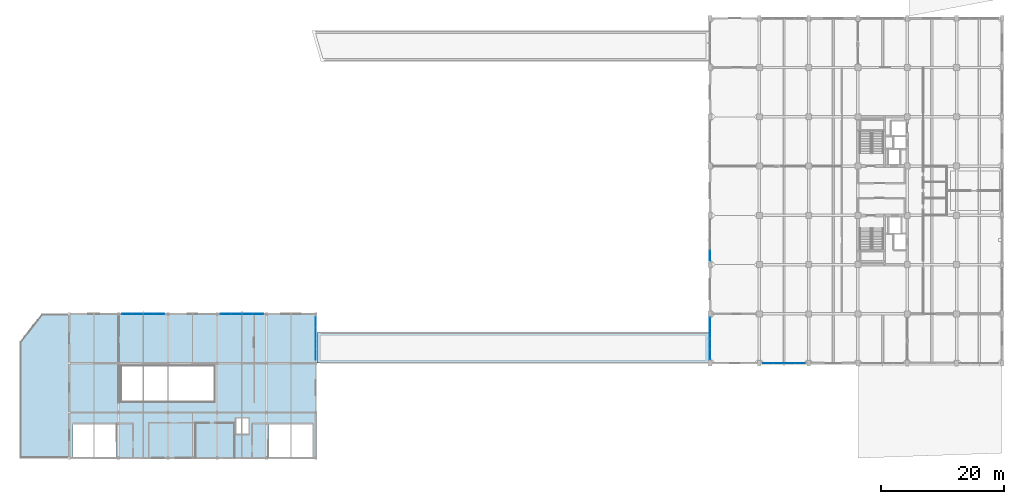
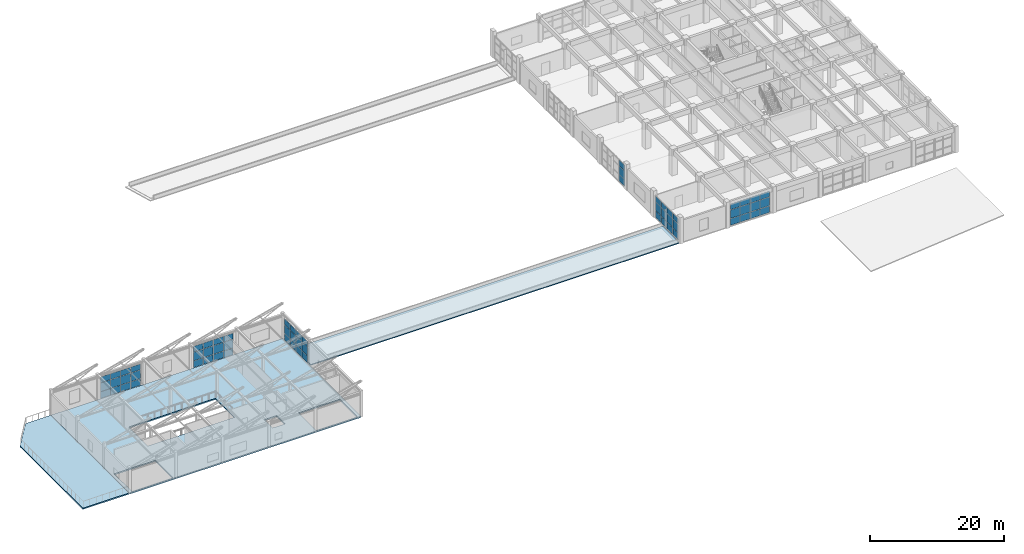
# One storey, part 43 of 63: 63 plates, 3 slabs, 6 elements without a shape of their own.
"""IFC4 building model written with IfcOpenShell, lengths in metres."""

from ifc_helpers import new_model, si_unit, direction, frame, origin, origin_2d, place, context, subcontext, project, spatial, polyline, rectangle, outline, extrude, material, layer, layer_set, type_object, element, aggregate, save


model = new_model("IFC4")

# Units and contexts
model_context = context("Model", 3, precision=1e-05, world=origin(), true_north=direction((0.0, 1.0)))
body_context = subcontext(model_context, "Body", "Model", "MODEL_VIEW")
ifc_project = project(units=[si_unit("LENGTHUNIT", "METRE"), si_unit("AREAUNIT", "SQUARE_METRE"), si_unit("VOLUMEUNIT", "CUBIC_METRE"), si_unit("PLANEANGLEUNIT", "RADIAN"), si_unit("MASSUNIT", "GRAM", prefix="KILO")], contexts=[model_context])

# Site, building, storey
site_placement = place(None, origin())
site = spatial("IfcSite", under=ifc_project, at=site_placement, CompositionType="ELEMENT")
building_placement = place(site_placement, origin())
building = spatial("IfcBuilding", under=site, at=building_placement, Name="Canggui Botanical Conservatory", CompositionType="ELEMENT")
storey_placement = place(building_placement, frame((0.0, 0.0, 10.199951171875)))
storey = spatial("IfcBuildingStorey", under=building, at=storey_placement, Name="L03", CompositionType="ELEMENT", Elevation=10.199951171875)

# Curtain wall, plates
ifc_material_1 = material(Name="Thermally Broken Aluminium", Category="aluminium")
ifc_layer_1 = layer(ifc_material_1, 0.14990234375, Name="Thermally Broken Aluminium", Category="aluminium")
ifc_layer_set_1 = layer_set([ifc_layer_1], Name="Thermally Broken Aluminium")
curtain_wall_type_1 = type_object("IfcCurtainWallType", Name="CW-UNIT-C", PredefinedType="USERDEFINED", material=ifc_layer_set_1)
curtain_wall_1_placement = place(storey_placement, origin())
curtain_wall_1 = element("IfcCurtainWall", 1, at=curtain_wall_1_placement, inside=storey, type_object=curtain_wall_type_1, Name="Facade Curtain Wall CW-TWR-L03-05", ObjectType="UNITISED CURTAIN WALL", PredefinedType="USERDEFINED")
ifc_material_2 = material(Name="Low-E Insulated Glass", Category="glass")
ifc_layer_2 = layer(ifc_material_2, 0.033935546875, Name="Low-E Insulated Glass", Category="glass")
ifc_layer_set_2 = layer_set([ifc_layer_2], Name="Low-E Insulated Glass")
plate_type_1 = type_object("IfcPlateType", Name="CWP-03", PredefinedType="CURTAIN_PANEL", material=ifc_layer_set_2)
plate_1_placement = place(storey_placement, frame((144.56494140625, 26.0, 0.05517578125), z_axis=(0.0, 0.0, 1.0), x_axis=(-1.0, 0.0, 0.0)))
plate_1 = element("IfcPlate", 2, at=plate_1_placement, type_object=plate_type_1, Name="CW-03 panel 1.1", PredefinedType="CURTAIN_PANEL", context=body_context, shape_type="SweptSolid", body=[
    extrude(rectangle(XDim=1.6298828125, YDim=0.033935546875, at=origin_2d()), origin(), (0.0, 0.0, 1.0), 1.197509765625),
])
plate_2_placement = place(storey_placement, frame((144.56494140625, 26.0, 1.3076171875), z_axis=(0.0, 0.0, 1.0), x_axis=(-1.0, 0.0, 0.0)))
plate_2 = element("IfcPlate", 3, at=plate_2_placement, type_object=plate_type_1, Name="CW-03 panel 1.2", PredefinedType="CURTAIN_PANEL", context=body_context, shape_type="SweptSolid", body=[
    extrude(rectangle(XDim=1.6298828125, YDim=0.033935546875, at=origin_2d()), origin(), (0.0, 0.0, 1.0), 1.544921875),
])
plate_3_placement = place(storey_placement, frame((144.56494140625, 26.0, 2.907470703125), z_axis=(0.0, 0.0, 1.0), x_axis=(-1.0, 0.0, 0.0)))
plate_3 = element("IfcPlate", 4, at=plate_3_placement, type_object=plate_type_1, Name="CW-03 panel 1.3", PredefinedType="CURTAIN_PANEL", context=body_context, shape_type="SweptSolid", body=[
    extrude(rectangle(XDim=1.6298828125, YDim=0.033935546875, at=origin_2d()), origin(), (0.0, 0.0, 1.0), 1.03759765625),
])
plate_4_placement = place(storey_placement, frame((142.860107421875, 26.0, 0.05517578125), z_axis=(0.0, 0.0, 1.0), x_axis=(-1.0, 0.0, 0.0)))
plate_4 = element("IfcPlate", 5, at=plate_4_placement, type_object=plate_type_1, Name="CW-03 panel 2.1", PredefinedType="CURTAIN_PANEL", context=body_context, shape_type="SweptSolid", body=[
    extrude(rectangle(XDim=1.659912109375, YDim=0.033935546875, at=origin_2d()), origin(), (0.0, 0.0, 1.0), 1.197509765625),
])
plate_5_placement = place(storey_placement, frame((142.860107421875, 26.0, 1.3076171875), z_axis=(0.0, 0.0, 1.0), x_axis=(-1.0, 0.0, 0.0)))
plate_5 = element("IfcPlate", 6, at=plate_5_placement, type_object=plate_type_1, Name="CW-03 panel 2.2", PredefinedType="CURTAIN_PANEL", context=body_context, shape_type="SweptSolid", body=[
    extrude(rectangle(XDim=1.659912109375, YDim=0.033935546875, at=origin_2d()), origin(), (0.0, 0.0, 1.0), 1.544921875),
])
plate_6_placement = place(storey_placement, frame((142.860107421875, 26.0, 2.907470703125), z_axis=(0.0, 0.0, 1.0), x_axis=(-1.0, 0.0, 0.0)))
plate_6 = element("IfcPlate", 7, at=plate_6_placement, type_object=plate_type_1, Name="CW-03 panel 2.3", PredefinedType="CURTAIN_PANEL", context=body_context, shape_type="SweptSolid", body=[
    extrude(rectangle(XDim=1.659912109375, YDim=0.033935546875, at=origin_2d()), origin(), (0.0, 0.0, 1.0), 1.03759765625),
])
plate_7_placement = place(storey_placement, frame((141.139892578125, 26.0, 0.05517578125), z_axis=(0.0, 0.0, 1.0), x_axis=(-1.0, 0.0, 0.0)))
plate_7 = element("IfcPlate", 8, at=plate_7_placement, type_object=plate_type_1, Name="CW-03 panel 3.1", PredefinedType="CURTAIN_PANEL", context=body_context, shape_type="SweptSolid", body=[
    extrude(rectangle(XDim=1.659912109375, YDim=0.033935546875, at=origin_2d()), origin(), (0.0, 0.0, 1.0), 1.197509765625),
])
plate_8_placement = place(storey_placement, frame((141.139892578125, 26.0, 1.3076171875), z_axis=(0.0, 0.0, 1.0), x_axis=(-1.0, 0.0, 0.0)))
plate_8 = element("IfcPlate", 9, at=plate_8_placement, type_object=plate_type_1, Name="CW-03 panel 3.2", PredefinedType="CURTAIN_PANEL", context=body_context, shape_type="SweptSolid", body=[
    extrude(rectangle(XDim=1.659912109375, YDim=0.033935546875, at=origin_2d()), origin(), (0.0, 0.0, 1.0), 1.544921875),
])
plate_9_placement = place(storey_placement, frame((141.139892578125, 26.0, 2.907470703125), z_axis=(0.0, 0.0, 1.0), x_axis=(-1.0, 0.0, 0.0)))
plate_9 = element("IfcPlate", 10, at=plate_9_placement, type_object=plate_type_1, Name="CW-03 panel 3.3", PredefinedType="CURTAIN_PANEL", context=body_context, shape_type="SweptSolid", body=[
    extrude(rectangle(XDim=1.659912109375, YDim=0.033935546875, at=origin_2d()), origin(), (0.0, 0.0, 1.0), 1.03759765625),
])
plate_10_placement = place(storey_placement, frame((139.43505859375, 26.0, 0.05517578125), z_axis=(0.0, 0.0, 1.0), x_axis=(-1.0, 0.0, 0.0)))
plate_10 = element("IfcPlate", 11, at=plate_10_placement, type_object=plate_type_1, Name="CW-03 panel 4.1", PredefinedType="CURTAIN_PANEL", context=body_context, shape_type="SweptSolid", body=[
    extrude(rectangle(XDim=1.6298828125, YDim=0.033935546875, at=origin_2d()), origin(), (0.0, 0.0, 1.0), 1.197509765625),
])
plate_11_placement = place(storey_placement, frame((139.43505859375, 26.0, 1.3076171875), z_axis=(0.0, 0.0, 1.0), x_axis=(-1.0, 0.0, 0.0)))
plate_11 = element("IfcPlate", 12, at=plate_11_placement, type_object=plate_type_1, Name="CW-03 panel 4.2", PredefinedType="CURTAIN_PANEL", context=body_context, shape_type="SweptSolid", body=[
    extrude(rectangle(XDim=1.6298828125, YDim=0.033935546875, at=origin_2d()), origin(), (0.0, 0.0, 1.0), 1.544921875),
])
plate_12_placement = place(storey_placement, frame((139.43505859375, 26.0, 2.907470703125), z_axis=(0.0, 0.0, 1.0), x_axis=(-1.0, 0.0, 0.0)))
plate_12 = element("IfcPlate", 13, at=plate_12_placement, type_object=plate_type_1, Name="CW-03 panel 4.3", PredefinedType="CURTAIN_PANEL", context=body_context, shape_type="SweptSolid", body=[
    extrude(rectangle(XDim=1.6298828125, YDim=0.033935546875, at=origin_2d()), origin(), (0.0, 0.0, 1.0), 1.03759765625),
])
aggregate(curtain_wall_1, [plate_1, plate_2, plate_3, plate_4, plate_5, plate_6, plate_7, plate_8, plate_9, plate_10, plate_11, plate_12])

curtain_wall_2_placement = place(storey_placement, origin())
curtain_wall_2 = element("IfcCurtainWall", 14, at=curtain_wall_2_placement, inside=storey, type_object=curtain_wall_type_1, Name="Facade Curtain Wall CW-TWR-L03-07", ObjectType="UNITISED CURTAIN WALL", PredefinedType="USERDEFINED")
plate_13_placement = place(storey_placement, frame((130.0, 27.43505859375, 0.05517578125), z_axis=(0.0, 0.0, 1.0), x_axis=(0.0, 1.0, 0.0)))
plate_13 = element("IfcPlate", 15, at=plate_13_placement, type_object=plate_type_1, Name="CW-03 panel 1.1", PredefinedType="CURTAIN_PANEL", context=body_context, shape_type="SweptSolid", body=[
    extrude(rectangle(XDim=1.6298828125, YDim=0.033935546875, at=origin_2d()), origin(), (0.0, 0.0, 1.0), 1.197509765625),
])
plate_14_placement = place(storey_placement, frame((130.0, 27.43505859375, 1.3076171875), z_axis=(0.0, 0.0, 1.0), x_axis=(0.0, 1.0, 0.0)))
plate_14 = element("IfcPlate", 16, at=plate_14_placement, type_object=plate_type_1, Name="CW-03 panel 1.2", PredefinedType="CURTAIN_PANEL", context=body_context, shape_type="SweptSolid", body=[
    extrude(rectangle(XDim=1.6298828125, YDim=0.033935546875, at=origin_2d()), origin(), (0.0, 0.0, 1.0), 1.544921875),
])
plate_15_placement = place(storey_placement, frame((130.0, 27.43505859375, 2.907470703125), z_axis=(0.0, 0.0, 1.0), x_axis=(0.0, 1.0, 0.0)))
plate_15 = element("IfcPlate", 17, at=plate_15_placement, type_object=plate_type_1, Name="CW-03 panel 1.3", PredefinedType="CURTAIN_PANEL", context=body_context, shape_type="SweptSolid", body=[
    extrude(rectangle(XDim=1.6298828125, YDim=0.033935546875, at=origin_2d()), origin(), (0.0, 0.0, 1.0), 1.03759765625),
])
plate_16_placement = place(storey_placement, frame((130.0, 29.139892578125, 0.05517578125), z_axis=(0.0, 0.0, 1.0), x_axis=(0.0, 1.0, 0.0)))
plate_16 = element("IfcPlate", 18, at=plate_16_placement, type_object=plate_type_1, Name="CW-03 panel 2.1", PredefinedType="CURTAIN_PANEL", context=body_context, shape_type="SweptSolid", body=[
    extrude(rectangle(XDim=1.659912109375, YDim=0.033935546875, at=origin_2d()), origin(), (0.0, 0.0, 1.0), 1.197509765625),
])
plate_17_placement = place(storey_placement, frame((130.0, 29.139892578125, 1.3076171875), z_axis=(0.0, 0.0, 1.0), x_axis=(0.0, 1.0, 0.0)))
plate_17 = element("IfcPlate", 19, at=plate_17_placement, type_object=plate_type_1, Name="CW-03 panel 2.2", PredefinedType="CURTAIN_PANEL", context=body_context, shape_type="SweptSolid", body=[
    extrude(rectangle(XDim=1.659912109375, YDim=0.033935546875, at=origin_2d()), origin(), (0.0, 0.0, 1.0), 1.544921875),
])
plate_18_placement = place(storey_placement, frame((130.0, 29.139892578125, 2.907470703125), z_axis=(0.0, 0.0, 1.0), x_axis=(0.0, 1.0, 0.0)))
plate_18 = element("IfcPlate", 20, at=plate_18_placement, type_object=plate_type_1, Name="CW-03 panel 2.3", PredefinedType="CURTAIN_PANEL", context=body_context, shape_type="SweptSolid", body=[
    extrude(rectangle(XDim=1.659912109375, YDim=0.033935546875, at=origin_2d()), origin(), (0.0, 0.0, 1.0), 1.03759765625),
])
plate_19_placement = place(storey_placement, frame((130.0, 30.860107421875, 0.05517578125), z_axis=(0.0, 0.0, 1.0), x_axis=(0.0, 1.0, 0.0)))
plate_19 = element("IfcPlate", 21, at=plate_19_placement, type_object=plate_type_1, Name="CW-03 panel 3.1", PredefinedType="CURTAIN_PANEL", context=body_context, shape_type="SweptSolid", body=[
    extrude(rectangle(XDim=1.659912109375, YDim=0.033935546875, at=origin_2d()), origin(), (0.0, 0.0, 1.0), 1.197509765625),
])
plate_20_placement = place(storey_placement, frame((130.0, 30.860107421875, 1.3076171875), z_axis=(0.0, 0.0, 1.0), x_axis=(0.0, 1.0, 0.0)))
plate_20 = element("IfcPlate", 22, at=plate_20_placement, type_object=plate_type_1, Name="CW-03 panel 3.2", PredefinedType="CURTAIN_PANEL", context=body_context, shape_type="SweptSolid", body=[
    extrude(rectangle(XDim=1.659912109375, YDim=0.033935546875, at=origin_2d()), origin(), (0.0, 0.0, 1.0), 1.544921875),
])
plate_21_placement = place(storey_placement, frame((130.0, 30.860107421875, 2.907470703125), z_axis=(0.0, 0.0, 1.0), x_axis=(0.0, 1.0, 0.0)))
plate_21 = element("IfcPlate", 23, at=plate_21_placement, type_object=plate_type_1, Name="CW-03 panel 3.3", PredefinedType="CURTAIN_PANEL", context=body_context, shape_type="SweptSolid", body=[
    extrude(rectangle(XDim=1.659912109375, YDim=0.033935546875, at=origin_2d()), origin(), (0.0, 0.0, 1.0), 1.03759765625),
])
plate_22_placement = place(storey_placement, frame((130.0, 32.56494140625, 0.05517578125), z_axis=(0.0, 0.0, 1.0), x_axis=(0.0, 1.0, 0.0)))
plate_22 = element("IfcPlate", 24, at=plate_22_placement, type_object=plate_type_1, Name="CW-03 panel 4.1", PredefinedType="CURTAIN_PANEL", context=body_context, shape_type="SweptSolid", body=[
    extrude(rectangle(XDim=1.6298828125, YDim=0.033935546875, at=origin_2d()), origin(), (0.0, 0.0, 1.0), 1.197509765625),
])
plate_23_placement = place(storey_placement, frame((130.0, 32.56494140625, 1.3076171875), z_axis=(0.0, 0.0, 1.0), x_axis=(0.0, 1.0, 0.0)))
plate_23 = element("IfcPlate", 25, at=plate_23_placement, type_object=plate_type_1, Name="CW-03 panel 4.2", PredefinedType="CURTAIN_PANEL", context=body_context, shape_type="SweptSolid", body=[
    extrude(rectangle(XDim=1.6298828125, YDim=0.033935546875, at=origin_2d()), origin(), (0.0, 0.0, 1.0), 1.544921875),
])
plate_24_placement = place(storey_placement, frame((130.0, 32.56494140625, 2.907470703125), z_axis=(0.0, 0.0, 1.0), x_axis=(0.0, 1.0, 0.0)))
plate_24 = element("IfcPlate", 26, at=plate_24_placement, type_object=plate_type_1, Name="CW-03 panel 4.3", PredefinedType="CURTAIN_PANEL", context=body_context, shape_type="SweptSolid", body=[
    extrude(rectangle(XDim=1.6298828125, YDim=0.033935546875, at=origin_2d()), origin(), (0.0, 0.0, 1.0), 1.03759765625),
])
aggregate(curtain_wall_2, [plate_13, plate_14, plate_15, plate_16, plate_17, plate_18, plate_19, plate_20, plate_21, plate_22, plate_23, plate_24])

curtain_wall_3_placement = place(storey_placement, origin())
curtain_wall_3 = element("IfcCurtainWall", 27, at=curtain_wall_3_placement, inside=storey, type_object=curtain_wall_type_1, Name="Facade Curtain Wall CW-TWR-L03-09", ObjectType="UNITISED CURTAIN WALL", PredefinedType="USERDEFINED")
plate_25_placement = place(storey_placement, frame((130.0, 43.43505859375, 0.05517578125), z_axis=(0.0, 0.0, 1.0), x_axis=(0.0, 1.0, 0.0)))
plate_25 = element("IfcPlate", 28, at=plate_25_placement, type_object=plate_type_1, Name="CW-03 panel 1.1", PredefinedType="CURTAIN_PANEL", context=body_context, shape_type="SweptSolid", body=[
    extrude(rectangle(XDim=1.6298828125, YDim=0.033935546875, at=origin_2d()), origin(), (0.0, 0.0, 1.0), 1.197509765625),
])
plate_26_placement = place(storey_placement, frame((130.0, 43.43505859375, 1.3076171875), z_axis=(0.0, 0.0, 1.0), x_axis=(0.0, 1.0, 0.0)))
plate_26 = element("IfcPlate", 29, at=plate_26_placement, type_object=plate_type_1, Name="CW-03 panel 1.2", PredefinedType="CURTAIN_PANEL", context=body_context, shape_type="SweptSolid", body=[
    extrude(rectangle(XDim=1.6298828125, YDim=0.033935546875, at=origin_2d()), origin(), (0.0, 0.0, 1.0), 1.544921875),
])
plate_27_placement = place(storey_placement, frame((130.0, 43.43505859375, 2.907470703125), z_axis=(0.0, 0.0, 1.0), x_axis=(0.0, 1.0, 0.0)))
plate_27 = element("IfcPlate", 30, at=plate_27_placement, type_object=plate_type_1, Name="CW-03 panel 1.3", PredefinedType="CURTAIN_PANEL", context=body_context, shape_type="SweptSolid", body=[
    extrude(rectangle(XDim=1.6298828125, YDim=0.033935546875, at=origin_2d()), origin(), (0.0, 0.0, 1.0), 1.03759765625),
])
aggregate(curtain_wall_3, [plate_25, plate_26, plate_27])

ifc_layer_3 = layer(ifc_material_1, 0.135009765625, Name="Thermally Broken Aluminium", Category="aluminium")
ifc_layer_set_3 = layer_set([ifc_layer_3], Name="Thermally Broken Aluminium")
curtain_wall_type_2 = type_object("IfcCurtainWallType", Name="CW-STICK-A", PredefinedType="USERDEFINED", material=ifc_layer_set_3)
curtain_wall_4_placement = place(storey_placement, origin())
curtain_wall_4 = element("IfcCurtainWall", 31, at=curtain_wall_4_placement, inside=storey, type_object=curtain_wall_type_2, Name="Facade Curtain Wall CW-VIS-L03-10", ObjectType="STICK GLAZED WALL", PredefinedType="USERDEFINED")
ifc_layer_4 = layer(ifc_material_2, 0.0380859375, Name="Low-E Insulated Glass", Category="glass")
ifc_layer_set_4 = layer_set([ifc_layer_4], Name="Low-E Insulated Glass")
plate_type_2 = type_object("IfcPlateType", Name="CWP-04", PredefinedType="CURTAIN_PANEL", material=ifc_layer_set_4)
plate_28_placement = place(storey_placement, frame((35.389892578125, 34.0, 0.0498046875), z_axis=(0.0, 0.0, 1.0), x_axis=(1.0, 0.0, 0.0)))
plate_28 = element("IfcPlate", 32, at=plate_28_placement, type_object=plate_type_2, Name="CW-04 panel 1.1", PredefinedType="CURTAIN_PANEL", context=body_context, shape_type="SweptSolid", body=[
    extrude(rectangle(XDim=1.659912109375, YDim=0.0380859375, at=origin_2d()), origin(), (0.0, 0.0, 1.0), 1.208251953125),
])
plate_29_placement = place(storey_placement, frame((35.389892578125, 34.0, 1.30810546875), z_axis=(0.0, 0.0, 1.0), x_axis=(1.0, 0.0, 0.0)))
plate_29 = element("IfcPlate", 33, at=plate_29_placement, type_object=plate_type_2, Name="CW-04 panel 1.2", PredefinedType="CURTAIN_PANEL", context=body_context, shape_type="SweptSolid", body=[
    extrude(rectangle(XDim=1.659912109375, YDim=0.0380859375, at=origin_2d()), origin(), (0.0, 0.0, 1.0), 1.553955078125),
])
plate_30_placement = place(storey_placement, frame((35.389892578125, 34.0, 2.912109375), z_axis=(0.0, 0.0, 1.0), x_axis=(1.0, 0.0, 0.0)))
plate_30 = element("IfcPlate", 34, at=plate_30_placement, type_object=plate_type_2, Name="CW-04 panel 1.3", PredefinedType="CURTAIN_PANEL", context=body_context, shape_type="SweptSolid", body=[
    extrude(rectangle(XDim=1.659912109375, YDim=0.0380859375, at=origin_2d()), origin(), (0.0, 0.0, 1.0), 1.0478515625),
])
plate_31_placement = place(storey_placement, frame((37.125, 34.0, 0.0498046875), z_axis=(0.0, 0.0, 1.0), x_axis=(1.0, 0.0, 0.0)))
plate_31 = element("IfcPlate", 35, at=plate_31_placement, type_object=plate_type_2, Name="CW-04 panel 2.1", PredefinedType="CURTAIN_PANEL", context=body_context, shape_type="SweptSolid", body=[
    extrude(rectangle(XDim=1.68994140625, YDim=0.0380859375, at=origin_2d()), origin(), (0.0, 0.0, 1.0), 1.208251953125),
])
plate_32_placement = place(storey_placement, frame((37.125, 34.0, 1.30810546875), z_axis=(0.0, 0.0, 1.0), x_axis=(1.0, 0.0, 0.0)))
plate_32 = element("IfcPlate", 36, at=plate_32_placement, type_object=plate_type_2, Name="CW-04 panel 2.2", PredefinedType="CURTAIN_PANEL", context=body_context, shape_type="SweptSolid", body=[
    extrude(rectangle(XDim=1.68994140625, YDim=0.0380859375, at=origin_2d()), origin(), (0.0, 0.0, 1.0), 1.553955078125),
])
plate_33_placement = place(storey_placement, frame((37.125, 34.0, 2.912109375), z_axis=(0.0, 0.0, 1.0), x_axis=(1.0, 0.0, 0.0)))
plate_33 = element("IfcPlate", 37, at=plate_33_placement, type_object=plate_type_2, Name="CW-04 panel 2.3", PredefinedType="CURTAIN_PANEL", context=body_context, shape_type="SweptSolid", body=[
    extrude(rectangle(XDim=1.68994140625, YDim=0.0380859375, at=origin_2d()), origin(), (0.0, 0.0, 1.0), 1.0478515625),
])
plate_34_placement = place(storey_placement, frame((38.875, 34.0, 0.0498046875), z_axis=(0.0, 0.0, 1.0), x_axis=(1.0, 0.0, 0.0)))
plate_34 = element("IfcPlate", 38, at=plate_34_placement, type_object=plate_type_2, Name="CW-04 panel 3.1", PredefinedType="CURTAIN_PANEL", context=body_context, shape_type="SweptSolid", body=[
    extrude(rectangle(XDim=1.68994140625, YDim=0.0380859375, at=origin_2d()), origin(), (0.0, 0.0, 1.0), 1.208251953125),
])
plate_35_placement = place(storey_placement, frame((38.875, 34.0, 1.30810546875), z_axis=(0.0, 0.0, 1.0), x_axis=(1.0, 0.0, 0.0)))
plate_35 = element("IfcPlate", 39, at=plate_35_placement, type_object=plate_type_2, Name="CW-04 panel 3.2", PredefinedType="CURTAIN_PANEL", context=body_context, shape_type="SweptSolid", body=[
    extrude(rectangle(XDim=1.68994140625, YDim=0.0380859375, at=origin_2d()), origin(), (0.0, 0.0, 1.0), 1.553955078125),
])
plate_36_placement = place(storey_placement, frame((38.875, 34.0, 2.912109375), z_axis=(0.0, 0.0, 1.0), x_axis=(1.0, 0.0, 0.0)))
plate_36 = element("IfcPlate", 40, at=plate_36_placement, type_object=plate_type_2, Name="CW-04 panel 3.3", PredefinedType="CURTAIN_PANEL", context=body_context, shape_type="SweptSolid", body=[
    extrude(rectangle(XDim=1.68994140625, YDim=0.0380859375, at=origin_2d()), origin(), (0.0, 0.0, 1.0), 1.0478515625),
])
plate_37_placement = place(storey_placement, frame((40.610107421875, 34.0, 0.0498046875), z_axis=(0.0, 0.0, 1.0), x_axis=(1.0, 0.0, 0.0)))
plate_37 = element("IfcPlate", 41, at=plate_37_placement, type_object=plate_type_2, Name="CW-04 panel 4.1", PredefinedType="CURTAIN_PANEL", context=body_context, shape_type="SweptSolid", body=[
    extrude(rectangle(XDim=1.659912109375, YDim=0.0380859375, at=origin_2d()), origin(), (0.0, 0.0, 1.0), 1.208251953125),
])
plate_38_placement = place(storey_placement, frame((40.610107421875, 34.0, 1.30810546875), z_axis=(0.0, 0.0, 1.0), x_axis=(1.0, 0.0, 0.0)))
plate_38 = element("IfcPlate", 42, at=plate_38_placement, type_object=plate_type_2, Name="CW-04 panel 4.2", PredefinedType="CURTAIN_PANEL", context=body_context, shape_type="SweptSolid", body=[
    extrude(rectangle(XDim=1.659912109375, YDim=0.0380859375, at=origin_2d()), origin(), (0.0, 0.0, 1.0), 1.553955078125),
])
plate_39_placement = place(storey_placement, frame((40.610107421875, 34.0, 2.912109375), z_axis=(0.0, 0.0, 1.0), x_axis=(1.0, 0.0, 0.0)))
plate_39 = element("IfcPlate", 43, at=plate_39_placement, type_object=plate_type_2, Name="CW-04 panel 4.3", PredefinedType="CURTAIN_PANEL", context=body_context, shape_type="SweptSolid", body=[
    extrude(rectangle(XDim=1.659912109375, YDim=0.0380859375, at=origin_2d()), origin(), (0.0, 0.0, 1.0), 1.0478515625),
])
aggregate(curtain_wall_4, [plate_28, plate_29, plate_30, plate_31, plate_32, plate_33, plate_34, plate_35, plate_36, plate_37, plate_38, plate_39])

curtain_wall_5_placement = place(storey_placement, origin())
curtain_wall_5 = element("IfcCurtainWall", 44, at=curtain_wall_5_placement, inside=storey, type_object=curtain_wall_type_2, Name="Facade Curtain Wall CW-VIS-L03-12", ObjectType="STICK GLAZED WALL", PredefinedType="USERDEFINED")
plate_40_placement = place(storey_placement, frame((51.389892578125, 34.0, 0.0498046875), z_axis=(0.0, 0.0, 1.0), x_axis=(1.0, 0.0, 0.0)))
plate_40 = element("IfcPlate", 45, at=plate_40_placement, type_object=plate_type_2, Name="CW-04 panel 1.1", PredefinedType="CURTAIN_PANEL", context=body_context, shape_type="SweptSolid", body=[
    extrude(rectangle(XDim=1.659912109375, YDim=0.0380859375, at=origin_2d()), origin(), (0.0, 0.0, 1.0), 1.208251953125),
])
plate_41_placement = place(storey_placement, frame((51.389892578125, 34.0, 1.30810546875), z_axis=(0.0, 0.0, 1.0), x_axis=(1.0, 0.0, 0.0)))
plate_41 = element("IfcPlate", 46, at=plate_41_placement, type_object=plate_type_2, Name="CW-04 panel 1.2", PredefinedType="CURTAIN_PANEL", context=body_context, shape_type="SweptSolid", body=[
    extrude(rectangle(XDim=1.659912109375, YDim=0.0380859375, at=origin_2d()), origin(), (0.0, 0.0, 1.0), 1.553955078125),
])
plate_42_placement = place(storey_placement, frame((51.389892578125, 34.0, 2.912109375), z_axis=(0.0, 0.0, 1.0), x_axis=(1.0, 0.0, 0.0)))
plate_42 = element("IfcPlate", 47, at=plate_42_placement, type_object=plate_type_2, Name="CW-04 panel 1.3", PredefinedType="CURTAIN_PANEL", context=body_context, shape_type="SweptSolid", body=[
    extrude(rectangle(XDim=1.659912109375, YDim=0.0380859375, at=origin_2d()), origin(), (0.0, 0.0, 1.0), 1.0478515625),
])
plate_43_placement = place(storey_placement, frame((53.125, 34.0, 0.0498046875), z_axis=(0.0, 0.0, 1.0), x_axis=(1.0, 0.0, 0.0)))
plate_43 = element("IfcPlate", 48, at=plate_43_placement, type_object=plate_type_2, Name="CW-04 panel 2.1", PredefinedType="CURTAIN_PANEL", context=body_context, shape_type="SweptSolid", body=[
    extrude(rectangle(XDim=1.68994140625, YDim=0.0380859375, at=origin_2d()), origin(), (0.0, 0.0, 1.0), 1.208251953125),
])
plate_44_placement = place(storey_placement, frame((53.125, 34.0, 1.30810546875), z_axis=(0.0, 0.0, 1.0), x_axis=(1.0, 0.0, 0.0)))
plate_44 = element("IfcPlate", 49, at=plate_44_placement, type_object=plate_type_2, Name="CW-04 panel 2.2", PredefinedType="CURTAIN_PANEL", context=body_context, shape_type="SweptSolid", body=[
    extrude(rectangle(XDim=1.68994140625, YDim=0.0380859375, at=origin_2d()), origin(), (0.0, 0.0, 1.0), 1.553955078125),
])
plate_45_placement = place(storey_placement, frame((53.125, 34.0, 2.912109375), z_axis=(0.0, 0.0, 1.0), x_axis=(1.0, 0.0, 0.0)))
plate_45 = element("IfcPlate", 50, at=plate_45_placement, type_object=plate_type_2, Name="CW-04 panel 2.3", PredefinedType="CURTAIN_PANEL", context=body_context, shape_type="SweptSolid", body=[
    extrude(rectangle(XDim=1.68994140625, YDim=0.0380859375, at=origin_2d()), origin(), (0.0, 0.0, 1.0), 1.0478515625),
])
plate_46_placement = place(storey_placement, frame((54.875, 34.0, 0.0498046875), z_axis=(0.0, 0.0, 1.0), x_axis=(1.0, 0.0, 0.0)))
plate_46 = element("IfcPlate", 51, at=plate_46_placement, type_object=plate_type_2, Name="CW-04 panel 3.1", PredefinedType="CURTAIN_PANEL", context=body_context, shape_type="SweptSolid", body=[
    extrude(rectangle(XDim=1.68994140625, YDim=0.0380859375, at=origin_2d()), origin(), (0.0, 0.0, 1.0), 1.208251953125),
])
plate_47_placement = place(storey_placement, frame((54.875, 34.0, 1.30810546875), z_axis=(0.0, 0.0, 1.0), x_axis=(1.0, 0.0, 0.0)))
plate_47 = element("IfcPlate", 52, at=plate_47_placement, type_object=plate_type_2, Name="CW-04 panel 3.2", PredefinedType="CURTAIN_PANEL", context=body_context, shape_type="SweptSolid", body=[
    extrude(rectangle(XDim=1.68994140625, YDim=0.0380859375, at=origin_2d()), origin(), (0.0, 0.0, 1.0), 1.553955078125),
])
plate_48_placement = place(storey_placement, frame((54.875, 34.0, 2.912109375), z_axis=(0.0, 0.0, 1.0), x_axis=(1.0, 0.0, 0.0)))
plate_48 = element("IfcPlate", 53, at=plate_48_placement, type_object=plate_type_2, Name="CW-04 panel 3.3", PredefinedType="CURTAIN_PANEL", context=body_context, shape_type="SweptSolid", body=[
    extrude(rectangle(XDim=1.68994140625, YDim=0.0380859375, at=origin_2d()), origin(), (0.0, 0.0, 1.0), 1.0478515625),
])
plate_49_placement = place(storey_placement, frame((56.610107421875, 34.0, 0.0498046875), z_axis=(0.0, 0.0, 1.0), x_axis=(1.0, 0.0, 0.0)))
plate_49 = element("IfcPlate", 54, at=plate_49_placement, type_object=plate_type_2, Name="CW-04 panel 4.1", PredefinedType="CURTAIN_PANEL", context=body_context, shape_type="SweptSolid", body=[
    extrude(rectangle(XDim=1.659912109375, YDim=0.0380859375, at=origin_2d()), origin(), (0.0, 0.0, 1.0), 1.208251953125),
])
plate_50_placement = place(storey_placement, frame((56.610107421875, 34.0, 1.30810546875), z_axis=(0.0, 0.0, 1.0), x_axis=(1.0, 0.0, 0.0)))
plate_50 = element("IfcPlate", 55, at=plate_50_placement, type_object=plate_type_2, Name="CW-04 panel 4.2", PredefinedType="CURTAIN_PANEL", context=body_context, shape_type="SweptSolid", body=[
    extrude(rectangle(XDim=1.659912109375, YDim=0.0380859375, at=origin_2d()), origin(), (0.0, 0.0, 1.0), 1.553955078125),
])
plate_51_placement = place(storey_placement, frame((56.610107421875, 34.0, 2.912109375), z_axis=(0.0, 0.0, 1.0), x_axis=(1.0, 0.0, 0.0)))
plate_51 = element("IfcPlate", 56, at=plate_51_placement, type_object=plate_type_2, Name="CW-04 panel 4.3", PredefinedType="CURTAIN_PANEL", context=body_context, shape_type="SweptSolid", body=[
    extrude(rectangle(XDim=1.659912109375, YDim=0.0380859375, at=origin_2d()), origin(), (0.0, 0.0, 1.0), 1.0478515625),
])
aggregate(curtain_wall_5, [plate_40, plate_41, plate_42, plate_43, plate_44, plate_45, plate_46, plate_47, plate_48, plate_49, plate_50, plate_51])

curtain_wall_6_placement = place(storey_placement, origin())
curtain_wall_6 = element("IfcCurtainWall", 57, at=curtain_wall_6_placement, inside=storey, type_object=curtain_wall_type_2, Name="Facade Curtain Wall CW-VIS-L03-14", ObjectType="STICK GLAZED WALL", PredefinedType="USERDEFINED")
plate_52_placement = place(storey_placement, frame((66.0, 32.610107421875, 0.0498046875), z_axis=(0.0, 0.0, 1.0), x_axis=(0.0, -1.0, 0.0)))
plate_52 = element("IfcPlate", 58, at=plate_52_placement, type_object=plate_type_2, Name="CW-04 panel 1.1", PredefinedType="CURTAIN_PANEL", context=body_context, shape_type="SweptSolid", body=[
    extrude(rectangle(XDim=1.659912109375, YDim=0.0380859375, at=origin_2d()), origin(), (0.0, 0.0, 1.0), 1.208251953125),
])
plate_53_placement = place(storey_placement, frame((66.0, 32.610107421875, 1.30810546875), z_axis=(0.0, 0.0, 1.0), x_axis=(0.0, -1.0, 0.0)))
plate_53 = element("IfcPlate", 59, at=plate_53_placement, type_object=plate_type_2, Name="CW-04 panel 1.2", PredefinedType="CURTAIN_PANEL", context=body_context, shape_type="SweptSolid", body=[
    extrude(rectangle(XDim=1.659912109375, YDim=0.0380859375, at=origin_2d()), origin(), (0.0, 0.0, 1.0), 1.553955078125),
])
plate_54_placement = place(storey_placement, frame((66.0, 32.610107421875, 2.912109375), z_axis=(0.0, 0.0, 1.0), x_axis=(0.0, -1.0, 0.0)))
plate_54 = element("IfcPlate", 60, at=plate_54_placement, type_object=plate_type_2, Name="CW-04 panel 1.3", PredefinedType="CURTAIN_PANEL", context=body_context, shape_type="SweptSolid", body=[
    extrude(rectangle(XDim=1.659912109375, YDim=0.0380859375, at=origin_2d()), origin(), (0.0, 0.0, 1.0), 1.0478515625),
])
plate_55_placement = place(storey_placement, frame((66.0, 30.875, 0.0498046875), z_axis=(0.0, 0.0, 1.0), x_axis=(0.0, -1.0, 0.0)))
plate_55 = element("IfcPlate", 61, at=plate_55_placement, type_object=plate_type_2, Name="CW-04 panel 2.1", PredefinedType="CURTAIN_PANEL", context=body_context, shape_type="SweptSolid", body=[
    extrude(rectangle(XDim=1.68994140625, YDim=0.0380859375, at=origin_2d()), origin(), (0.0, 0.0, 1.0), 1.208251953125),
])
plate_56_placement = place(storey_placement, frame((66.0, 30.875, 1.30810546875), z_axis=(0.0, 0.0, 1.0), x_axis=(0.0, -1.0, 0.0)))
plate_56 = element("IfcPlate", 62, at=plate_56_placement, type_object=plate_type_2, Name="CW-04 panel 2.2", PredefinedType="CURTAIN_PANEL", context=body_context, shape_type="SweptSolid", body=[
    extrude(rectangle(XDim=1.68994140625, YDim=0.0380859375, at=origin_2d()), origin(), (0.0, 0.0, 1.0), 1.553955078125),
])
plate_57_placement = place(storey_placement, frame((66.0, 30.875, 2.912109375), z_axis=(0.0, 0.0, 1.0), x_axis=(0.0, -1.0, 0.0)))
plate_57 = element("IfcPlate", 63, at=plate_57_placement, type_object=plate_type_2, Name="CW-04 panel 2.3", PredefinedType="CURTAIN_PANEL", context=body_context, shape_type="SweptSolid", body=[
    extrude(rectangle(XDim=1.68994140625, YDim=0.0380859375, at=origin_2d()), origin(), (0.0, 0.0, 1.0), 1.0478515625),
])
plate_58_placement = place(storey_placement, frame((66.0, 29.125, 0.0498046875), z_axis=(0.0, 0.0, 1.0), x_axis=(0.0, -1.0, 0.0)))
plate_58 = element("IfcPlate", 64, at=plate_58_placement, type_object=plate_type_2, Name="CW-04 panel 3.1", PredefinedType="CURTAIN_PANEL", context=body_context, shape_type="SweptSolid", body=[
    extrude(rectangle(XDim=1.68994140625, YDim=0.0380859375, at=origin_2d()), origin(), (0.0, 0.0, 1.0), 1.208251953125),
])
plate_59_placement = place(storey_placement, frame((66.0, 29.125, 1.30810546875), z_axis=(0.0, 0.0, 1.0), x_axis=(0.0, -1.0, 0.0)))
plate_59 = element("IfcPlate", 65, at=plate_59_placement, type_object=plate_type_2, Name="CW-04 panel 3.2", PredefinedType="CURTAIN_PANEL", context=body_context, shape_type="SweptSolid", body=[
    extrude(rectangle(XDim=1.68994140625, YDim=0.0380859375, at=origin_2d()), origin(), (0.0, 0.0, 1.0), 1.553955078125),
])
plate_60_placement = place(storey_placement, frame((66.0, 29.125, 2.912109375), z_axis=(0.0, 0.0, 1.0), x_axis=(0.0, -1.0, 0.0)))
plate_60 = element("IfcPlate", 66, at=plate_60_placement, type_object=plate_type_2, Name="CW-04 panel 3.3", PredefinedType="CURTAIN_PANEL", context=body_context, shape_type="SweptSolid", body=[
    extrude(rectangle(XDim=1.68994140625, YDim=0.0380859375, at=origin_2d()), origin(), (0.0, 0.0, 1.0), 1.0478515625),
])
plate_61_placement = place(storey_placement, frame((66.0, 27.389892578125, 0.0498046875), z_axis=(0.0, 0.0, 1.0), x_axis=(0.0, -1.0, 0.0)))
plate_61 = element("IfcPlate", 67, at=plate_61_placement, type_object=plate_type_2, Name="CW-04 panel 4.1", PredefinedType="CURTAIN_PANEL", context=body_context, shape_type="SweptSolid", body=[
    extrude(rectangle(XDim=1.659912109375, YDim=0.0380859375, at=origin_2d()), origin(), (0.0, 0.0, 1.0), 1.208251953125),
])
plate_62_placement = place(storey_placement, frame((66.0, 27.389892578125, 1.30810546875), z_axis=(0.0, 0.0, 1.0), x_axis=(0.0, -1.0, 0.0)))
plate_62 = element("IfcPlate", 68, at=plate_62_placement, type_object=plate_type_2, Name="CW-04 panel 4.2", PredefinedType="CURTAIN_PANEL", context=body_context, shape_type="SweptSolid", body=[
    extrude(rectangle(XDim=1.659912109375, YDim=0.0380859375, at=origin_2d()), origin(), (0.0, 0.0, 1.0), 1.553955078125),
])
plate_63_placement = place(storey_placement, frame((66.0, 27.389892578125, 2.912109375), z_axis=(0.0, 0.0, 1.0), x_axis=(0.0, -1.0, 0.0)))
plate_63 = element("IfcPlate", 69, at=plate_63_placement, type_object=plate_type_2, Name="CW-04 panel 4.3", PredefinedType="CURTAIN_PANEL", context=body_context, shape_type="SweptSolid", body=[
    extrude(rectangle(XDim=1.659912109375, YDim=0.0380859375, at=origin_2d()), origin(), (0.0, 0.0, 1.0), 1.0478515625),
])
aggregate(curtain_wall_6, [plate_52, plate_53, plate_54, plate_55, plate_56, plate_57, plate_58, plate_59, plate_60, plate_61, plate_62, plate_63])

# Slabs
ifc_material_3 = material(Name="Concrete C35", Category="concrete")
ifc_layer_5 = layer(ifc_material_3, 0.219970703125, Name="Concrete C35", Category="concrete")
ifc_layer_set_5 = layer_set([ifc_layer_5], Name="Concrete C35")
slab_type_1 = type_object("IfcSlabType", Name="SLAB-F220", PredefinedType="FLOOR", material=ifc_layer_set_5)
slab_1_placement = place(storey_placement, frame((0.0, 0.0, -0.219970703125)))
element("IfcSlab", 70, at=slab_1_placement, inside=storey, type_object=slab_type_1, Name="Visitor Centre L03 Outdoor Terrace Slab", PredefinedType="FLOOR", context=body_context, shape_type="SweptSolid", body=[
    extrude(outline(polyline([(18.0, 10.60009765625), (26.0, 10.60009765625), (26.0, 34.0), (21.60009765625, 34.0), (18.0, 29.39990234375), (18.0, 10.60009765625)])), origin(), (0.0, 0.0, 1.0), 0.219970703125),
])
ifc_layer_6 = layer(ifc_material_3, 0.239990234375, Name="Concrete C35", Category="concrete")
ifc_layer_set_6 = layer_set([ifc_layer_6], Name="Concrete C35")
slab_type_2 = type_object("IfcSlabType", Name="SLAB-F240", PredefinedType="FLOOR", material=ifc_layer_set_6)
slab_2_placement = place(storey_placement, frame((0.0, 0.0, -0.239990234375)))
element("IfcSlab", 71, at=slab_2_placement, inside=storey, type_object=slab_type_2, Name="Visitor Centre L03 Floor Slab", PredefinedType="FLOOR", context=body_context, shape_type="SweptSolid", body=[
    extrude(outline(polyline([(26.0, 10.60009765625), (66.0, 10.60009765625), (66.0, 34.0), (26.0, 34.0), (26.0, 10.60009765625)]), holes=[polyline([(58.3505859375, 10.780029296875), (65.449951171875, 10.780029296875), (65.449951171875, 16.0400390625), (58.3505859375, 16.0400390625), (58.3505859375, 10.780029296875)]), polyline([(33.6494140625, 16.0400390625), (26.550048828125, 16.0400390625), (26.550048828125, 10.780029296875), (33.6494140625, 10.780029296875), (33.6494140625, 16.0400390625)]), polyline([(53.050048828125, 14.550048828125), (55.14990234375, 14.550048828125), (55.14990234375, 17.050048828125), (53.050048828125, 17.050048828125), (53.050048828125, 14.550048828125)]), polyline([(34.5, 19.800048828125), (49.5, 19.800048828125), (49.5, 25.5), (34.5, 25.5), (34.5, 19.800048828125)])]), origin(), (0.0, 0.0, 1.0), 0.239990234375),
])
ifc_layer_7 = layer(ifc_material_3, 0.179931640625, Name="Concrete C35", Category="concrete")
ifc_layer_set_7 = layer_set([ifc_layer_7], Name="Concrete C35")
slab_type_3 = type_object("IfcSlabType", Name="SLAB-R180", PredefinedType="ROOF", material=ifc_layer_set_7)
slab_3_placement = place(storey_placement, frame((0.0, 0.0, -0.179931640625)))
element("IfcSlab", 72, at=slab_3_placement, inside=storey, type_object=slab_type_3, Name="South Court Covered Skybridge SB-01 Roof Slab", PredefinedType="ROOF", context=body_context, shape_type="SweptSolid", body=[
    extrude(outline(polyline([(66.199951171875, 26.0), (129.800048828125, 26.0), (129.800048828125, 31.0), (66.199951171875, 31.0), (66.199951171875, 26.0)])), origin(), (0.0, 0.0, 1.0), 0.179931640625),
])

save(model, "model.ifc")
